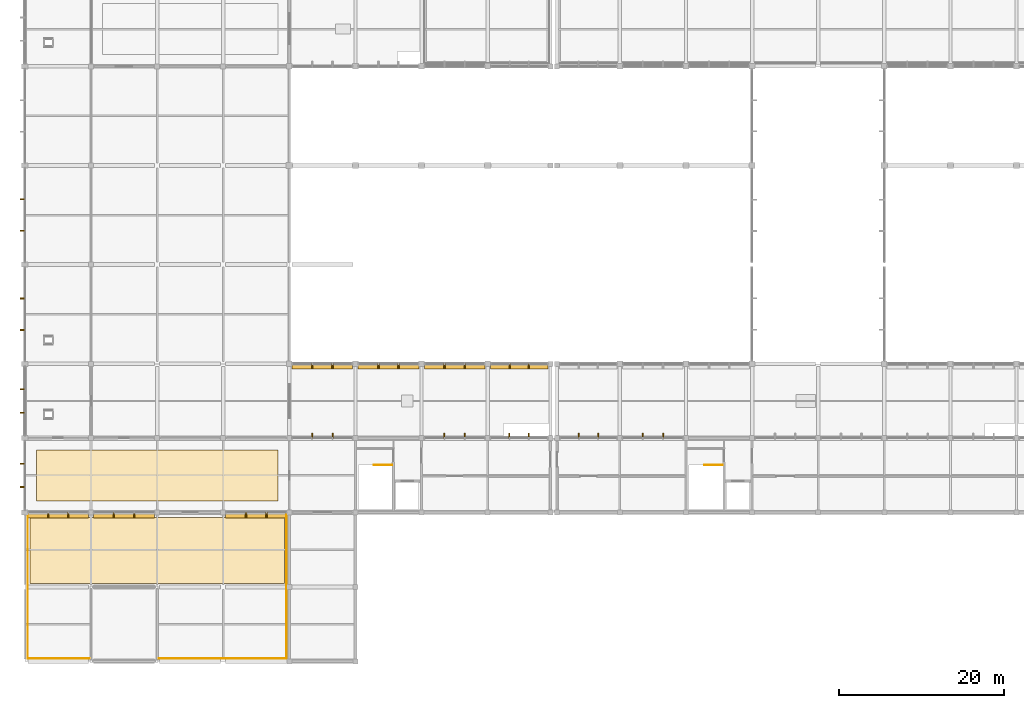
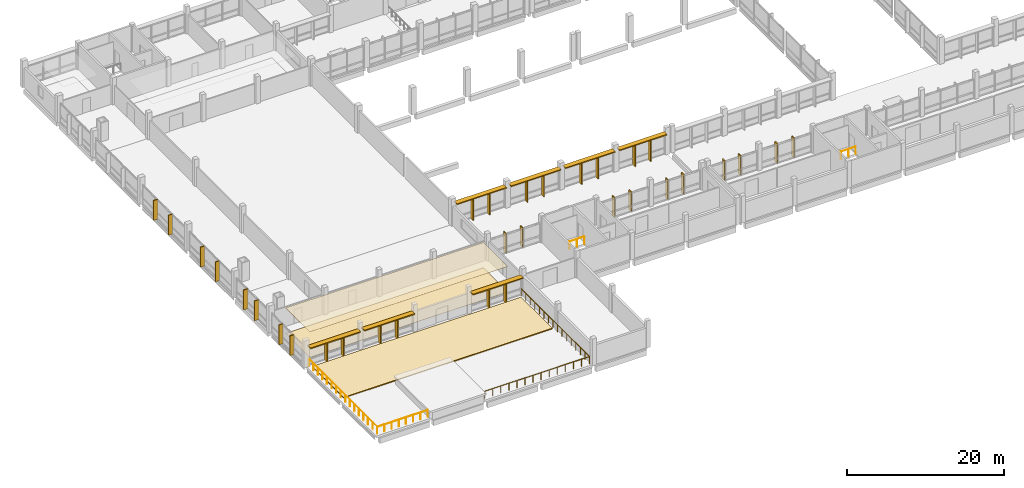
# One storey, part 65 of 70: 39 shading devices, 4 railings, 3 coverings.
"""IFC4 building model written with IfcOpenShell, lengths in metres."""

from ifc_helpers import new_model, si_unit, direction, frame, origin, origin_2d, place, context, subcontext, project, spatial, polyline, rectangle, circle, outline, extrude, material, layer, layer_set, type_object, element, save


model = new_model("IFC4")

# Units and contexts
model_context = context("Model", 3, precision=1e-05, world=origin(), true_north=direction((0.0, 1.0)))
body_context = subcontext(model_context, "Body", "Model", "MODEL_VIEW")
ifc_project = project(units=[si_unit("LENGTHUNIT", "METRE"), si_unit("AREAUNIT", "SQUARE_METRE"), si_unit("VOLUMEUNIT", "CUBIC_METRE"), si_unit("PLANEANGLEUNIT", "RADIAN"), si_unit("MASSUNIT", "GRAM", prefix="KILO"), si_unit("THERMODYNAMICTEMPERATUREUNIT", "KELVIN"), si_unit("POWERUNIT", "WATT")], contexts=[model_context])

# Site, building, storey
site_placement = place(None, origin())
site = spatial("IfcSite", under=ifc_project, at=site_placement, CompositionType="ELEMENT")
building_placement = place(site_placement, origin())
building = spatial("IfcBuilding", under=site, at=building_placement, Name="Kronsvod Quay Wholesale Market", CompositionType="ELEMENT")
storey_placement = place(building_placement, frame((0.0, 0.0, 9.0)))
storey = spatial("IfcBuildingStorey", under=building, at=storey_placement, Name="L02", CompositionType="ELEMENT", Elevation=9.0)

# Coverings
ifc_material_1 = material(Name="Moisture-resistant gypsum board ceiling")
ifc_layer_1 = layer(ifc_material_1, 0.02490234375)
ifc_layer_set_1 = layer_set([ifc_layer_1], Name="Moisture-resistant gypsum board ceiling")
covering_type_1 = type_object("IfcCoveringType", Name="Cov_Ceil03", PredefinedType="CEILING", material=ifc_layer_set_1)
covering_1_placement = place(storey_placement, frame((0.0, 0.0, 3.955078125)))
element("IfcCovering", 1, at=covering_1_placement, inside=storey, type_object=covering_type_1, Name="CLG-SP-L02-V3-03", PredefinedType="CEILING", context=body_context, shape_type="SweptSolid", body=[
    extrude(outline(polyline([(1.39990234375, 37.39990234375), (30.60009765625, 37.39990234375), (30.60009765625, 43.60009765625), (1.39990234375, 43.60009765625), (1.39990234375, 37.39990234375)])), origin(), (0.0, 0.0, 1.0), 0.02490234375),
])
ifc_material_2 = material(Name="Heavy-duty polyurethane resin market screed")
ifc_layer_2 = layer(ifc_material_2, 0.02001953125)
ifc_layer_set_2 = layer_set([ifc_layer_2], Name="Heavy-duty polyurethane resin market screed")
covering_type_2 = type_object("IfcCoveringType", Name="Cov_Floor01", PredefinedType="FLOORING", material=ifc_layer_set_2)
covering_2_placement = place(storey_placement, origin())
element("IfcCovering", 2, at=covering_2_placement, inside=storey, type_object=covering_type_2, Name="FLR-SP-L02-V3-03", PredefinedType="FLOORING", context=body_context, shape_type="SweptSolid", body=[
    extrude(outline(polyline([(1.39990234375, 37.39990234375), (30.60009765625, 37.39990234375), (30.60009765625, 43.60009765625), (1.39990234375, 43.60009765625), (1.39990234375, 37.39990234375)])), origin(), (0.0, 0.0, 1.0), 0.02001953125),
])
ifc_material_3 = material(Name="Planted green roof sedum substrate")
ifc_layer_3 = layer(ifc_material_3, 0.139892578125)
ifc_layer_set_3 = layer_set([ifc_layer_3], Name="Planted green roof sedum substrate")
covering_type_3 = type_object("IfcCoveringType", Name="Cov_GreenRoofSubstrate", PredefinedType="ROOFING", material=ifc_layer_set_3)
covering_3_placement = place(storey_placement, origin())
element("IfcCovering", 3, at=covering_3_placement, inside=storey, type_object=covering_type_3, Name="COV-GD-L02V3", PredefinedType="ROOFING", context=body_context, shape_type="SweptSolid", body=[
    extrude(outline(polyline([(0.60009765625, 27.39990234375), (31.39990234375, 27.39990234375), (31.39990234375, 35.39990234375), (0.60009765625, 35.39990234375), (0.60009765625, 27.39990234375)])), origin(), (0.0, 0.0, 1.0), 0.139892578125),
])

# Railings
ifc_material_4 = material(Name="Stainless steel and laminated glass", Category="steel")
railing_type_1 = type_object("IfcRailingType", Name="Railing_Balustrade1150", PredefinedType="BALUSTRADE", material=ifc_material_4)
railing_1_placement = place(storey_placement, frame((0.35009765625, 35.800048828125, 0.0)))
element("IfcRailing", 4, at=railing_1_placement, inside=storey, type_object=railing_type_1, Name="GRD-L02-V3SW", PredefinedType="BALUSTRADE", context=body_context, shape_type="SweptSolid", body=[
    extrude(circle(Radius=0.02392578125, at=origin_2d()), frame((0.0, 0.0, 1.1259765625), z_axis=(0.0, -1.0, 0.0), x_axis=(1.0, 0.0, 0.0)), (0.0, 0.0, 1.0), 17.449951171875),
    extrude(circle(Radius=0.02392578125, at=origin_2d()), frame((0.0, -17.449951171875, 1.1259765625), z_axis=(1.0, 0.0, 0.0), x_axis=(0.0, 1.0, 0.0)), (0.0, 0.0, 1.0), 7.449951171875),
    extrude(circle(Radius=0.02099609375, at=origin_2d()), origin(), (0.0, 0.0, 1.0), 1.101806640625),
    extrude(circle(Radius=0.02099609375, at=origin_2d()), frame((0.0, -1.163330078125, 0.0)), (0.0, 0.0, 1.0), 1.101806640625),
    extrude(circle(Radius=0.02099609375, at=origin_2d()), frame((0.0, -2.32666015625, 0.0)), (0.0, 0.0, 1.0), 1.101806640625),
    extrude(circle(Radius=0.02099609375, at=origin_2d()), frame((0.0, -3.489990234375, 0.0)), (0.0, 0.0, 1.0), 1.101806640625),
    extrude(circle(Radius=0.02099609375, at=origin_2d()), frame((0.0, -4.6533203125, 0.0)), (0.0, 0.0, 1.0), 1.101806640625),
    extrude(circle(Radius=0.02099609375, at=origin_2d()), frame((0.0, -5.816650390625, 0.0)), (0.0, 0.0, 1.0), 1.101806640625),
    extrude(circle(Radius=0.02099609375, at=origin_2d()), frame((0.0, -6.97998046875, 0.0)), (0.0, 0.0, 1.0), 1.101806640625),
    extrude(circle(Radius=0.02099609375, at=origin_2d()), frame((0.0, -8.143310546875, 0.0)), (0.0, 0.0, 1.0), 1.101806640625),
    extrude(circle(Radius=0.02099609375, at=origin_2d()), frame((0.0, -9.306640625, 0.0)), (0.0, 0.0, 1.0), 1.101806640625),
    extrude(circle(Radius=0.02099609375, at=origin_2d()), frame((0.0, -10.469970703125, 0.0)), (0.0, 0.0, 1.0), 1.101806640625),
    extrude(circle(Radius=0.02099609375, at=origin_2d()), frame((0.0, -11.63330078125, 0.0)), (0.0, 0.0, 1.0), 1.101806640625),
    extrude(circle(Radius=0.02099609375, at=origin_2d()), frame((0.0, -12.796630859375, 0.0)), (0.0, 0.0, 1.0), 1.101806640625),
    extrude(circle(Radius=0.02099609375, at=origin_2d()), frame((0.0, -13.9599609375, 0.0)), (0.0, 0.0, 1.0), 1.101806640625),
    extrude(circle(Radius=0.02099609375, at=origin_2d()), frame((0.0, -15.123291015625, 0.0)), (0.0, 0.0, 1.0), 1.101806640625),
    extrude(circle(Radius=0.02099609375, at=origin_2d()), frame((0.0, -16.28662109375, 0.0)), (0.0, 0.0, 1.0), 1.101806640625),
    extrude(circle(Radius=0.02099609375, at=origin_2d()), frame((0.0, -17.449951171875, 0.0)), (0.0, 0.0, 1.0), 1.101806640625),
    extrude(circle(Radius=0.02099609375, at=origin_2d()), frame((1.064208984375, -17.449951171875, 0.0)), (0.0, 0.0, 1.0), 1.101806640625),
    extrude(circle(Radius=0.02099609375, at=origin_2d()), frame((2.128662109375, -17.449951171875, 0.0)), (0.0, 0.0, 1.0), 1.101806640625),
    extrude(circle(Radius=0.02099609375, at=origin_2d()), frame((3.19287109375, -17.449951171875, 0.0)), (0.0, 0.0, 1.0), 1.101806640625),
    extrude(circle(Radius=0.02099609375, at=origin_2d()), frame((4.257080078125, -17.449951171875, 0.0)), (0.0, 0.0, 1.0), 1.101806640625),
    extrude(circle(Radius=0.02099609375, at=origin_2d()), frame((5.3212890625, -17.449951171875, 0.0)), (0.0, 0.0, 1.0), 1.101806640625),
    extrude(circle(Radius=0.02099609375, at=origin_2d()), frame((6.3857421875, -17.449951171875, 0.0)), (0.0, 0.0, 1.0), 1.101806640625),
    extrude(circle(Radius=0.02099609375, at=origin_2d()), frame((7.449951171875, -17.449951171875, 0.0)), (0.0, 0.0, 1.0), 1.101806640625),
])
railing_2_placement = place(storey_placement, frame((16.199951171875, 18.35009765625, 0.0)))
element("IfcRailing", 5, at=railing_2_placement, inside=storey, type_object=railing_type_1, Name="GRD-L02-V3SE", PredefinedType="BALUSTRADE", context=body_context, shape_type="SweptSolid", body=[
    extrude(circle(Radius=0.02392578125, at=origin_2d()), frame((0.0, 0.0, 1.1259765625), z_axis=(1.0, 0.0, 0.0), x_axis=(0.0, 1.0, 0.0)), (0.0, 0.0, 1.0), 15.449951171875),
    extrude(circle(Radius=0.02392578125, at=origin_2d()), frame((15.449951171875, 0.0, 1.1259765625), z_axis=(0.0, 1.0, 0.0), x_axis=(-1.0, 0.0, 0.0)), (0.0, 0.0, 1.0), 17.449951171875),
    extrude(circle(Radius=0.02099609375, at=origin_2d()), origin(), (0.0, 0.0, 1.0), 1.101806640625),
    extrude(circle(Radius=0.02099609375, at=origin_2d()), frame((1.1884765625, 0.0, 0.0)), (0.0, 0.0, 1.0), 1.101806640625),
    extrude(circle(Radius=0.02099609375, at=origin_2d()), frame((2.376953125, 0.0, 0.0)), (0.0, 0.0, 1.0), 1.101806640625),
    extrude(circle(Radius=0.02099609375, at=origin_2d()), frame((3.5654296875, 0.0, 0.0)), (0.0, 0.0, 1.0), 1.101806640625),
    extrude(circle(Radius=0.02099609375, at=origin_2d()), frame((4.75390625, 0.0, 0.0)), (0.0, 0.0, 1.0), 1.101806640625),
    extrude(circle(Radius=0.02099609375, at=origin_2d()), frame((5.9423828125, 0.0, 0.0)), (0.0, 0.0, 1.0), 1.101806640625),
    extrude(circle(Radius=0.02099609375, at=origin_2d()), frame((7.130859375, 0.0, 0.0)), (0.0, 0.0, 1.0), 1.101806640625),
    extrude(circle(Radius=0.02099609375, at=origin_2d()), frame((8.319091796875, 0.0, 0.0)), (0.0, 0.0, 1.0), 1.101806640625),
    extrude(circle(Radius=0.02099609375, at=origin_2d()), frame((9.507568359375, 0.0, 0.0)), (0.0, 0.0, 1.0), 1.101806640625),
    extrude(circle(Radius=0.02099609375, at=origin_2d()), frame((10.696044921875, 0.0, 0.0)), (0.0, 0.0, 1.0), 1.101806640625),
    extrude(circle(Radius=0.02099609375, at=origin_2d()), frame((11.884521484375, 0.0, 0.0)), (0.0, 0.0, 1.0), 1.101806640625),
    extrude(circle(Radius=0.02099609375, at=origin_2d()), frame((13.072998046875, 0.0, 0.0)), (0.0, 0.0, 1.0), 1.101806640625),
    extrude(circle(Radius=0.02099609375, at=origin_2d()), frame((14.261474609375, 0.0, 0.0)), (0.0, 0.0, 1.0), 1.101806640625),
    extrude(circle(Radius=0.02099609375, at=origin_2d()), frame((15.449951171875, 0.0, 0.0)), (0.0, 0.0, 1.0), 1.101806640625),
    extrude(circle(Radius=0.02099609375, at=origin_2d()), frame((15.449951171875, 1.163330078125, 0.0)), (0.0, 0.0, 1.0), 1.101806640625),
    extrude(circle(Radius=0.02099609375, at=origin_2d()), frame((15.449951171875, 2.32666015625, 0.0)), (0.0, 0.0, 1.0), 1.101806640625),
    extrude(circle(Radius=0.02099609375, at=origin_2d()), frame((15.449951171875, 3.489990234375, 0.0)), (0.0, 0.0, 1.0), 1.101806640625),
    extrude(circle(Radius=0.02099609375, at=origin_2d()), frame((15.449951171875, 4.6533203125, 0.0)), (0.0, 0.0, 1.0), 1.101806640625),
    extrude(circle(Radius=0.02099609375, at=origin_2d()), frame((15.449951171875, 5.816650390625, 0.0)), (0.0, 0.0, 1.0), 1.101806640625),
    extrude(circle(Radius=0.02099609375, at=origin_2d()), frame((15.449951171875, 6.97998046875, 0.0)), (0.0, 0.0, 1.0), 1.101806640625),
    extrude(circle(Radius=0.02099609375, at=origin_2d()), frame((15.449951171875, 8.143310546875, 0.0)), (0.0, 0.0, 1.0), 1.101806640625),
    extrude(circle(Radius=0.02099609375, at=origin_2d()), frame((15.449951171875, 9.306640625, 0.0)), (0.0, 0.0, 1.0), 1.101806640625),
    extrude(circle(Radius=0.02099609375, at=origin_2d()), frame((15.449951171875, 10.469970703125, 0.0)), (0.0, 0.0, 1.0), 1.101806640625),
    extrude(circle(Radius=0.02099609375, at=origin_2d()), frame((15.449951171875, 11.63330078125, 0.0)), (0.0, 0.0, 1.0), 1.101806640625),
    extrude(circle(Radius=0.02099609375, at=origin_2d()), frame((15.449951171875, 12.796630859375, 0.0)), (0.0, 0.0, 1.0), 1.101806640625),
    extrude(circle(Radius=0.02099609375, at=origin_2d()), frame((15.449951171875, 13.9599609375, 0.0)), (0.0, 0.0, 1.0), 1.101806640625),
    extrude(circle(Radius=0.02099609375, at=origin_2d()), frame((15.449951171875, 15.123291015625, 0.0)), (0.0, 0.0, 1.0), 1.101806640625),
    extrude(circle(Radius=0.02099609375, at=origin_2d()), frame((15.449951171875, 16.28662109375, 0.0)), (0.0, 0.0, 1.0), 1.101806640625),
    extrude(circle(Radius=0.02099609375, at=origin_2d()), frame((15.449951171875, 17.449951171875, 0.0)), (0.0, 0.0, 1.0), 1.101806640625),
])
ifc_material_5 = material(Name="Stainless steel", Category="steel")
railing_type_2 = type_object("IfcRailingType", Name="Railing_Guard1200", PredefinedType="GUARDRAIL", material=ifc_material_5)
for number, where, name in (
    (6, (42.239990234375, 41.760009765625, 0.0), "ST03-L01-TOP-GRD"),
    (7, (82.239990234375, 41.760009765625, 0.0), "ST04-L01-TOP-GRD"),
):
    element("IfcRailing", number, at=place(storey_placement, frame(where)), inside=storey, type_object=railing_type_2, Name=name, PredefinedType="GUARDRAIL", context=body_context, shape_type="SweptSolid", body=[
        extrude(circle(Radius=0.02392578125, at=origin_2d()), frame((0.0, 0.0, 1.17578125), z_axis=(1.0, 0.0, 0.0), x_axis=(0.0, 1.0, 0.0)), (0.0, 0.0, 1.0), 2.199951171875),
        extrude(circle(Radius=0.02099609375, at=origin_2d()), origin(), (0.0, 0.0, 1.0), 1.15185546875),
        extrude(circle(Radius=0.02099609375, at=origin_2d()), frame((1.10009765625, 0.0, 0.0)), (0.0, 0.0, 1.0), 1.15185546875),
        extrude(circle(Radius=0.02099609375, at=origin_2d()), frame((2.199951171875, 0.0, 0.0)), (0.0, 0.0, 1.0), 1.15185546875),
    ])

# Shading devices
ifc_material_6 = material(Name="Anodised aluminium", Category="aluminium")
shading_device_type_1 = type_object("IfcShadingDeviceType", Name="Shade_SolarFin", PredefinedType="AWNING", material=ifc_material_6)
for number, where, z_axis, x_axis, name in (
    (8, (2.831787109375, 35.719970703125, -0.02001953125), (0.0, 0.0, 1.0), (1.0, 0.0, 0.0), "SHDF-CWGX-L02-0-360-28"),
    (9, (5.268310546875, 35.719970703125, -0.02001953125), (0.0, 0.0, 1.0), (1.0, 0.0, 0.0), "SHDF-CWGX-L02-0-360-53"),
    (10, (10.764892578125, 35.719970703125, -0.02001953125), (0.0, 0.0, 1.0), (1.0, 0.0, 0.0), "SHDF-CWGX-L02-80-360-108"),
    (11, (13.235107421875, 35.719970703125, -0.02001953125), (0.0, 0.0, 1.0), (1.0, 0.0, 0.0), "SHDF-CWGX-L02-80-360-132"),
    (12, (26.764892578125, 35.719970703125, -0.02001953125), (0.0, 0.0, 1.0), (1.0, 0.0, 0.0), "SHDF-CWGX-L02-240-360-268"),
    (13, (29.235107421875, 35.719970703125, -0.02001953125), (0.0, 0.0, 1.0), (1.0, 0.0, 0.0), "SHDF-CWGX-L02-240-360-292"),
    (14, (34.764892578125, 45.280029296875, -0.02001953125), (0.0, 0.0, 1.0), (1.0, 0.0, 0.0), "SHDF-CWGX-L02-320-450-348"),
    (15, (37.235107421875, 45.280029296875, -0.02001953125), (0.0, 0.0, 1.0), (1.0, 0.0, 0.0), "SHDF-CWGX-L02-320-450-372"),
    (16, (50.764892578125, 45.280029296875, -0.02001953125), (0.0, 0.0, 1.0), (1.0, 0.0, 0.0), "SHDF-CWGX-L02-480-450-508"),
    (17, (53.235107421875, 45.280029296875, -0.02001953125), (0.0, 0.0, 1.0), (1.0, 0.0, 0.0), "SHDF-CWGX-L02-480-450-532"),
    (18, (58.631591796875, 45.280029296875, -0.02001953125), (0.0, 0.0, 1.0), (1.0, 0.0, 0.0), "SHDF-CWGX-L02-560-450-586"),
    (19, (60.96826171875, 45.280029296875, -0.02001953125), (0.0, 0.0, 1.0), (1.0, 0.0, 0.0), "SHDF-CWGX-L02-560-450-610"),
):
    element("IfcShadingDevice", number, at=place(storey_placement, frame(where, z_axis=z_axis, x_axis=x_axis)), inside=storey, type_object=shading_device_type_1, Name=name, PredefinedType="AWNING", context=body_context, shape_type="SweptSolid", body=[
        extrude(rectangle(XDim=0.139892578125, YDim=0.6201171875, at=origin_2d()), origin(), (0.0, 0.0, 1.0), 3.090087890625),
    ])
for number, where, z_axis, x_axis, name in (
    (20, (34.78173828125, 53.719970703125, -0.02001953125), (0.0, 0.0, 1.0), (1.0, 0.0, 0.0), "SHDF-CWGX-L02-320-540-348"),
    (21, (37.21826171875, 53.719970703125, -0.02001953125), (0.0, 0.0, 1.0), (1.0, 0.0, 0.0), "SHDF-CWGX-L02-320-540-372"),
    (22, (42.78173828125, 53.719970703125, -0.02001953125), (0.0, 0.0, 1.0), (1.0, 0.0, 0.0), "SHDF-CWGX-L02-400-540-428"),
    (23, (45.21826171875, 53.719970703125, -0.02001953125), (0.0, 0.0, 1.0), (1.0, 0.0, 0.0), "SHDF-CWGX-L02-400-540-452"),
    (24, (50.78173828125, 53.719970703125, -0.02001953125), (0.0, 0.0, 1.0), (1.0, 0.0, 0.0), "SHDF-CWGX-L02-480-540-508"),
    (25, (53.21826171875, 53.719970703125, -0.02001953125), (0.0, 0.0, 1.0), (1.0, 0.0, 0.0), "SHDF-CWGX-L02-480-540-532"),
    (26, (58.6650390625, 53.719970703125, -0.02001953125), (0.0, 0.0, 1.0), (1.0, 0.0, 0.0), "SHDF-CWGX-L02-560-540-587"),
    (27, (60.985107421875, 53.719970703125, -0.02001953125), (0.0, 0.0, 1.0), (1.0, 0.0, 0.0), "SHDF-CWGX-L02-560-540-610"),
):
    element("IfcShadingDevice", number, at=place(storey_placement, frame(where, z_axis=z_axis, x_axis=x_axis)), inside=storey, type_object=shading_device_type_1, Name=name, PredefinedType="AWNING", context=body_context, shape_type="SweptSolid", body=[
        extrude(rectangle(XDim=0.139892578125, YDim=0.6201171875, at=origin_2d()), origin(), (0.0, 0.0, 1.0), 3.4599609375),
    ])
for number, where, z_axis, x_axis, name in (
    (28, (-0.280029296875, 39.098388671875, -0.02001953125), (0.0, 0.0, 1.0), (1.0, 0.0, 0.0), "SHDF-CWGY-L02-0-360-391"),
    (29, (-0.280029296875, 41.901611328125, -0.02001953125), (0.0, 0.0, 1.0), (1.0, 0.0, 0.0), "SHDF-CWGY-L02-0-360-419"),
    (30, (-0.280029296875, 48.098388671875, -0.02001953125), (0.0, 0.0, 1.0), (1.0, 0.0, 0.0), "SHDF-CWGY-L02-0-450-481"),
    (31, (-0.280029296875, 50.901611328125, -0.02001953125), (0.0, 0.0, 1.0), (1.0, 0.0, 0.0), "SHDF-CWGY-L02-0-450-509"),
    (32, (-0.280029296875, 58.098388671875, -0.02001953125), (0.0, 0.0, 1.0), (1.0, 0.0, 0.0), "SHDF-CWGY-L02-0-540-581"),
    (33, (-0.280029296875, 61.901611328125, -0.02001953125), (0.0, 0.0, 1.0), (1.0, 0.0, 0.0), "SHDF-CWGY-L02-0-540-619"),
    (34, (-0.280029296875, 70.098388671875, -0.02001953125), (0.0, 0.0, 1.0), (1.0, 0.0, 0.0), "SHDF-CWGY-L02-0-660-701"),
    (35, (-0.280029296875, 73.901611328125, -0.02001953125), (0.0, 0.0, 1.0), (1.0, 0.0, 0.0), "SHDF-CWGY-L02-0-660-739"),
):
    element("IfcShadingDevice", number, at=place(storey_placement, frame(where, z_axis=z_axis, x_axis=x_axis)), inside=storey, type_object=shading_device_type_1, Name=name, PredefinedType="AWNING", context=body_context, shape_type="SweptSolid", body=[
        extrude(rectangle(XDim=0.6201171875, YDim=0.139892578125, at=origin_2d()), origin(), (0.0, 0.0, 1.0), 3.090087890625),
    ])
for number, where, z_axis, x_axis, name in (
    (36, (67.03173828125, 45.280029296875, -0.02001953125), (0.0, 0.0, 1.0), (1.0, 0.0, 0.0), "SHDF-CWGX-L02-644-450-670"),
    (37, (69.368408203125, 45.280029296875, -0.02001953125), (0.0, 0.0, 1.0), (1.0, 0.0, 0.0), "SHDF-CWGX-L02-644-450-694"),
    (38, (74.764892578125, 45.280029296875, -0.02001953125), (0.0, 0.0, 1.0), (1.0, 0.0, 0.0), "SHDF-CWGX-L02-720-450-748"),
    (39, (77.235107421875, 45.280029296875, -0.02001953125), (0.0, 0.0, 1.0), (1.0, 0.0, 0.0), "SHDF-CWGX-L02-720-450-772"),
):
    element("IfcShadingDevice", number, at=place(storey_placement, frame(where, z_axis=z_axis, x_axis=x_axis)), inside=storey, type_object=shading_device_type_1, Name=name, PredefinedType="AWNING", context=body_context, shape_type="SweptSolid", body=[
        extrude(rectangle(XDim=0.139892578125, YDim=0.6201171875, at=origin_2d()), origin(), (0.0, 0.0, 1.0), 3.090087890625),
    ])
ifc_material_7 = material(Name="Anodised aluminium sunshade hood", Category="aluminium")
shading_device_type_2 = type_object("IfcShadingDeviceType", Name="Shade_SunHood", PredefinedType="AWNING", material=ifc_material_7)
shading_device_1_placement = place(storey_placement, frame((4.050048828125, 35.719970703125, 2.93017578125), z_axis=(0.0, 0.0, 1.0), x_axis=(1.0, 0.0, 0.0)))
element("IfcShadingDevice", 40, at=shading_device_1_placement, inside=storey, type_object=shading_device_type_2, Name="SHDH-CWGX-L02-0-360", PredefinedType="AWNING", context=body_context, shape_type="SweptSolid", body=[
    extrude(rectangle(XDim=7.330078125, YDim=0.719970703125, at=origin_2d()), origin(), (0.0, 0.0, 1.0), 0.159912109375),
])
for number, where, z_axis, x_axis, name in (
    (41, (12.0, 35.719970703125, 2.93017578125), (0.0, 0.0, 1.0), (1.0, 0.0, 0.0), "SHDH-CWGX-L02-80-360"),
    (42, (28.0, 35.719970703125, 2.93017578125), (0.0, 0.0, 1.0), (1.0, 0.0, 0.0), "SHDH-CWGX-L02-240-360"),
):
    element("IfcShadingDevice", number, at=place(storey_placement, frame(where, z_axis=z_axis, x_axis=x_axis)), inside=storey, type_object=shading_device_type_2, Name=name, PredefinedType="AWNING", context=body_context, shape_type="SweptSolid", body=[
        extrude(rectangle(XDim=7.429931640625, YDim=0.719970703125, at=origin_2d()), origin(), (0.0, 0.0, 1.0), 0.159912109375),
    ])
for number, where, z_axis, x_axis, name in (
    (43, (36.0, 53.719970703125, 3.2998046875), (0.0, 0.0, 1.0), (1.0, 0.0, 0.0), "SHDH-CWGX-L02-320-540"),
    (44, (44.0, 53.719970703125, 3.2998046875), (0.0, 0.0, 1.0), (1.0, 0.0, 0.0), "SHDH-CWGX-L02-400-540"),
    (45, (52.0, 53.719970703125, 3.2998046875), (0.0, 0.0, 1.0), (1.0, 0.0, 0.0), "SHDH-CWGX-L02-480-540"),
):
    element("IfcShadingDevice", number, at=place(storey_placement, frame(where, z_axis=z_axis, x_axis=x_axis)), inside=storey, type_object=shading_device_type_2, Name=name, PredefinedType="AWNING", context=body_context, shape_type="SweptSolid", body=[
        extrude(rectangle(XDim=7.330078125, YDim=0.719970703125, at=origin_2d()), origin(), (0.0, 0.0, 1.0), 0.159912109375),
    ])
shading_device_2_placement = place(storey_placement, frame((59.824951171875, 53.719970703125, 3.2998046875), z_axis=(0.0, 0.0, 1.0), x_axis=(1.0, 0.0, 0.0)))
element("IfcShadingDevice", 46, at=shading_device_2_placement, inside=storey, type_object=shading_device_type_2, Name="SHDH-CWGX-L02-560-540", PredefinedType="AWNING", context=body_context, shape_type="SweptSolid", body=[
    extrude(rectangle(XDim=6.97998046875, YDim=0.719970703125, at=origin_2d()), origin(), (0.0, 0.0, 1.0), 0.159912109375),
])

save(model, "model.ifc")
